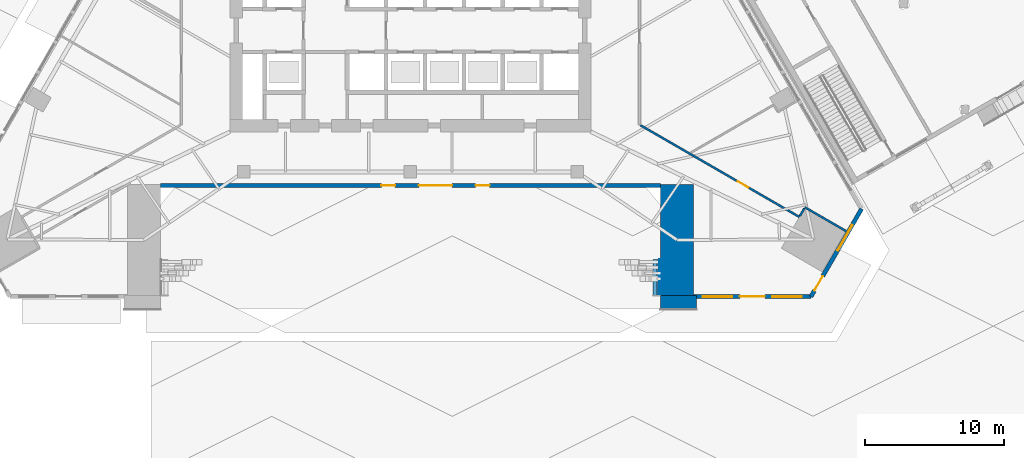
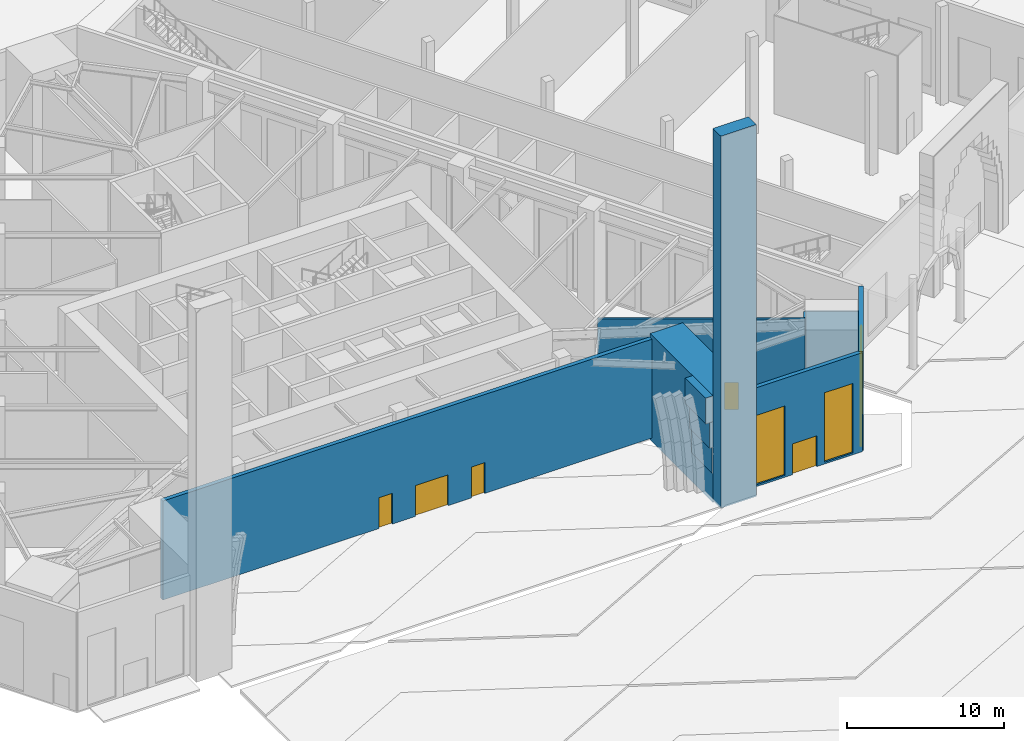
# One storey, part 10 of 34: 11 walls, 6 doors, 3 windows, 9 openings.
"""IFC4 building model written with IfcOpenShell, lengths in metres."""

import ifcopenshell
import ifcopenshell.guid

model = None  # the IFC model being written
_history = None  # IfcOwnerHistory: only IFC2X3 demands one
_inside = {}  # id of a spatial element -> (the spatial element, [elements in it])
_under = {}  # id of a project, library or spatial element -> (it, [spatial elements below it])
_declared = {}  # id of a project -> (the project, [libraries it declares])
_typed = {}  # id of a type object -> (the type object, [elements of that type])
_made_of = {}  # id of a material, layer set ... -> (it, [elements and type objects made of it])


def new_model(schema):
    """Start an empty IFC model of exactly this schema.

    Asked for "IFC4X3", IfcOpenShell would pick the latest addendum, in which some entities
    have other attributes; the version numbers below select the first issue.
    IFC2X3 requires an IfcOwnerHistory on every rooted entity: one is made here for all.
    """
    global model, _history
    if schema == "IFC4X3":
        model = ifcopenshell.file(schema_version=(4, 3, 0, 0))
    else:
        model = ifcopenshell.file(schema=schema)
    _inside.clear()
    _under.clear()
    _declared.clear()
    _typed.clear()
    _made_of.clear()
    _history = None
    if model.schema == "IFC2X3":
        org = make("IfcOrganization", Name="unknown")
        user = make(
            "IfcPersonAndOrganization",
            ThePerson=make("IfcPerson", FamilyName="unknown"),
            TheOrganization=org,
        )
        app = make(
            "IfcApplication",
            ApplicationDeveloper=org,
            Version="unknown",
            ApplicationFullName="unknown",
            ApplicationIdentifier="unknown",
        )
        _history = make(
            "IfcOwnerHistory",
            OwningUser=user,
            OwningApplication=app,
            ChangeAction="ADDED",
            CreationDate=0,
        )
    return model


def make(cls, **values):
    """One entity of the class cls with the attributes given. An attribute that is None is left unset."""
    return model.create_entity(
        cls, **{name: value for name, value in values.items() if value is not None}
    )


def rooted(cls, **values):
    """An entity with a GlobalId (a new one), such as an element, a storey or a relation."""
    return make(cls, GlobalId=ifcopenshell.guid.new(), OwnerHistory=_history, **values)


def si_unit(unit_type, name, prefix=None):
    """IfcSIUnit, for example si_unit("LENGTHUNIT", "METRE", prefix="MILLI")."""
    return make("IfcSIUnit", UnitType=unit_type, Prefix=prefix, Name=name)


def assignment(units):
    """IfcUnitAssignment: the units of a project."""
    return None if units is None else make("IfcUnitAssignment", Units=units)


def point(xyz):
    """IfcCartesianPoint."""
    return None if xyz is None else make("IfcCartesianPoint", Coordinates=xyz)


def direction(xyz):
    """IfcDirection."""
    return None if xyz is None else make("IfcDirection", DirectionRatios=xyz)


def frame(location, z_axis=None, x_axis=None):
    """IfcAxis2Placement3D, a coordinate frame: its origin and axes. An axis left out is left unset."""
    return make(
        "IfcAxis2Placement3D",
        Location=point(location),
        Axis=direction(z_axis),
        RefDirection=direction(x_axis),
    )


def frame_2d(location, x_axis=None):
    """IfcAxis2Placement2D, a coordinate frame in the plane: its origin and x axis."""
    return make(
        "IfcAxis2Placement2D", Location=point(location), RefDirection=direction(x_axis)
    )


def origin():
    """The frame at (0, 0, 0) with its axes left unset."""
    return frame((0.0, 0.0, 0.0))


def place(relative_to, where):
    """IfcLocalPlacement: puts the frame where relative to a parent placement (None: the world)."""
    return make(
        "IfcLocalPlacement", PlacementRelTo=relative_to, RelativePlacement=where
    )


def context(
    kind, dimensions, precision=None, world=None, true_north=None, identifier=None
):
    """IfcGeometricRepresentationContext, for example the 3D "Model" context."""
    return make(
        "IfcGeometricRepresentationContext",
        ContextIdentifier=identifier,
        ContextType=kind,
        CoordinateSpaceDimension=dimensions,
        Precision=precision,
        WorldCoordinateSystem=world,
        TrueNorth=true_north,
    )


def subcontext(parent, identifier, kind, view, scale=None):
    """IfcGeometricRepresentationSubContext, for example "Body" below "Model"."""
    return make(
        "IfcGeometricRepresentationSubContext",
        ContextIdentifier=identifier,
        ContextType=kind,
        ParentContext=parent,
        TargetScale=scale,
        TargetView=view,
    )


def project(units=None, contexts=None):
    """IfcProject with its units and contexts."""
    return rooted(
        "IfcProject",
        Name="project",
        RepresentationContexts=contexts,
        UnitsInContext=assignment(units),
    )


def spatial(cls, under=None, at=None, **own):
    """A site, building, storey or space (cls), placed at a placement, below another one or the project."""
    s = rooted(cls, ObjectPlacement=at, **own)
    if under is not None:
        _under.setdefault(under.id(), (under, []))[1].append(s)
    return s


def profile(cls, at=None, kind="AREA", **sizes):
    """A parametric profile (cls). Its sizes go by their IFC names, for example OverallWidth=200.0."""
    return make(cls, ProfileType=kind, Position=at, **sizes)


def rectangle(**sizes):
    """IfcRectangleProfileDef."""
    return profile("IfcRectangleProfileDef", **sizes)


def extrude(swept, where, along, depth):
    """IfcExtrudedAreaSolid: the profile swept, set in the frame where, extruded along a direction by depth."""
    return make(
        "IfcExtrudedAreaSolid",
        SweptArea=swept,
        Position=where,
        ExtrudedDirection=direction(along),
        Depth=depth,
    )


def shape(context_of_items, identifier, shape_type, items):
    """IfcShapeRepresentation: the items that make up one representation, for example the "Body"."""
    return make(
        "IfcShapeRepresentation",
        ContextOfItems=context_of_items,
        RepresentationIdentifier=identifier,
        RepresentationType=shape_type,
        Items=items,
    )


def material(Name=None, Category=None):
    """IfcMaterial."""
    return make("IfcMaterial", Name=Name, Category=Category)


def layer(
    of_material, thickness, ventilated=None, Name=None, Category=None, Priority=None
):
    """IfcMaterialLayer: one layer of a wall or slab, of a material (None: an air gap)."""
    return make(
        "IfcMaterialLayer",
        Material=of_material,
        LayerThickness=thickness,
        IsVentilated=ventilated,
        Name=Name,
        Category=Category,
        Priority=Priority,
    )


def layer_set(layers, Name=None):
    """IfcMaterialLayerSet."""
    return make("IfcMaterialLayerSet", MaterialLayers=layers, LayerSetName=Name)


def made_of(thing, what):
    """Note that an element or type object is made of a material, layer set ...; save() writes the relation."""
    if what is not None:
        _made_of.setdefault(what.id(), (what, []))[1].append(thing)
    return thing


def type_object(cls, material=None, **own):
    """A type object (cls), such as IfcWallType, which elements share."""
    return made_of(rooted(cls, **own), material)


def element(
    cls,
    number,
    at=None,
    inside=None,
    cuts=None,
    type_object=None,
    material=None,
    context=None,
    identifier="Body",
    shape_type=None,
    held_by="IfcProductDefinitionShape",
    body=None,
    shapes=None,
    **own,
):
    """One element of the class cls, such as IfcWall. Its Tag is "e" and its number.

    at: its placement. inside: the storey or other place that contains it. cuts: it is an
    opening in that element (IfcRelVoidsElement). A single representation is given by context,
    identifier, shape_type and body (its items); several are given by shapes. held_by: the class
    of the entity that holds the representations. save() writes the other relations.
    """
    e = rooted(cls, Tag="e%d" % number, ObjectPlacement=at, **own)
    if body is not None:
        shapes = [shape(context, identifier, shape_type, body)]
    if shapes is not None:
        e.Representation = make(held_by, Representations=shapes)
    if inside is not None:
        _inside.setdefault(inside.id(), (inside, []))[1].append(e)
    if cuts is not None:
        rooted(
            "IfcRelVoidsElement", RelatingBuildingElement=cuts, RelatedOpeningElement=e
        )
    if type_object is not None:
        _typed.setdefault(type_object.id(), (type_object, []))[1].append(e)
    return made_of(e, material)


def fill(opening, filler):
    """IfcRelFillsElement: the door or window that sits in an opening."""
    return rooted(
        "IfcRelFillsElement",
        RelatingOpeningElement=opening,
        RelatedBuildingElement=filler,
    )


def aggregate(whole, parts):
    """IfcRelAggregates: a whole, such as a stair, and the parts it consists of."""
    return rooted("IfcRelAggregates", RelatingObject=whole, RelatedObjects=parts)


def save(model, path):
    """Write the relations noted so far, then the file.

    IfcRelAggregates (storeys below a building ...), IfcRelContainedInSpatialStructure (elements
    in a storey), IfcRelDefinesByType, IfcRelAssociatesMaterial and IfcRelDeclares: one each for
    every whole, place, type object, material and project.
    """
    for whole, parts in _under.values():
        aggregate(whole, parts)
    for where, things in _inside.values():
        rooted(
            "IfcRelContainedInSpatialStructure",
            RelatedElements=things,
            RelatingStructure=where,
        )
    for kind, things in _typed.values():
        rooted("IfcRelDefinesByType", RelatedObjects=things, RelatingType=kind)
    for what, things in _made_of.values():
        rooted("IfcRelAssociatesMaterial", RelatedObjects=things, RelatingMaterial=what)
    for by, libraries in _declared.values():
        rooted("IfcRelDeclares", RelatingContext=by, RelatedDefinitions=libraries)
    model.write(path)


model = new_model("IFC4")

# Units and contexts
model_context = context("Model", 3, precision=1e-05, world=origin(), true_north=direction((0.0, 1.0)))
body_context = subcontext(model_context, "Body", "Model", "MODEL_VIEW")
ifc_project = project(units=[si_unit("LENGTHUNIT", "METRE"), si_unit("AREAUNIT", "SQUARE_METRE"), si_unit("VOLUMEUNIT", "CUBIC_METRE"), si_unit("PLANEANGLEUNIT", "RADIAN"), si_unit("MASSUNIT", "GRAM", prefix="KILO")], contexts=[model_context])

# Site, building, storey
site_placement = place(None, origin())
site = spatial("IfcSite", under=ifc_project, at=site_placement, CompositionType="ELEMENT")
building_placement = place(site_placement, origin())
building = spatial("IfcBuilding", under=site, at=building_placement, Name="Firuza Gate Tower and Library", CompositionType="ELEMENT")
storey_placement = place(building_placement, origin())
storey = spatial("IfcBuildingStorey", under=building, at=storey_placement, Name="L00", CompositionType="ELEMENT", Elevation=0.0)

# Walls
ifc_material_1 = material(Name="Gypsum board partition")
ifc_layer_1 = layer(ifc_material_1, 0.14990234375)
ifc_layer_set_1 = layer_set([ifc_layer_1], Name="Corridor wall 150 double board on steel studs")
wall_type_1 = type_object("IfcWallType", Name="Corridor wall 150 double board on steel studs", PredefinedType="PARTITIONING", material=ifc_layer_set_1)
wall_1_placement = place(storey_placement, frame((103.0615234375, 59.93603515625, 0.0), z_axis=(0.0, 0.0, 1.0), x_axis=(0.500118698802, 0.865956862152, 0.0)))
element("IfcWall", 1, at=wall_1_placement, inside=storey, type_object=wall_type_1, Name="f:L00:w013", PredefinedType="PARTITIONING", context=body_context, shape_type="SweptSolid", body=[
    extrude(rectangle(XDim=0.639892578125, YDim=0.14990234375, at=frame_2d((0.31982421875, 0.0))), origin(), (0.0, 0.0, 1.0), 7.10009765625),
])
wall_2_placement = place(storey_placement, frame((106.500244140625, 58.7763671875, 0.0), z_axis=(0.0, 0.0, 1.0), x_axis=(-0.866017611601, 0.500013496215, 0.0)))
element("IfcWall", 2, at=wall_2_placement, inside=storey, type_object=wall_type_1, Name="f:L00:w030", PredefinedType="PARTITIONING", context=body_context, shape_type="SweptSolid", body=[
    extrude(rectangle(XDim=3.55810546875, YDim=0.14990234375, at=frame_2d((1.779052734375, 0.0))), origin(), (0.0, 0.0, 1.0), 7.10009765625),
])

# Wall, opening, door
wall_3_placement = place(storey_placement, frame((91.574951171875, 66.4697265625, 0.0), z_axis=(0.0, 0.0, 1.0), x_axis=(0.866027754727, -0.499995928025, 0.0)))
wall_3 = element("IfcWall", 3, at=wall_3_placement, inside=storey, type_object=wall_type_1, Name="f:L00:w031", PredefinedType="PARTITIONING", context=body_context, shape_type="SweptSolid", body=[
    extrude(rectangle(XDim=13.21435546875, YDim=0.14990234375, at=frame_2d((6.607177734375, 0.0))), origin(), (0.0, 0.0, 1.0), 7.10009765625),
])
opening_1_placement = place(wall_3_placement, frame((8.0908203125, 0.0, 0.0)))
opening_1 = element("IfcOpeningElement", 4, at=opening_1_placement, cuts=wall_3, Name="Opening L00-14", PredefinedType="OPENING", context=body_context, shape_type="SweptSolid", body=[
    extrude(rectangle(XDim=0.89990234375, YDim=2.10009765625, at=frame_2d((0.449951171875, 1.050048828125))), frame((0.0, 0.0849609375, 0.0), z_axis=(0.0, -1.0, 0.0), x_axis=(1.0, 0.0, 0.0)), (0.0, 0.0, 1.0), 0.169921875),
])
ifc_material_2 = material(Name="Steel door and timber leaf", Category="steel")
door_type_1 = type_object("IfcDoorType", Name="Fire door 900 x 2100 steel frame, timber leaf", OperationType="NOTDEFINED", PredefinedType="DOOR", material=ifc_material_2)
door_1_placement = place(opening_1_placement, origin())
door_1 = element("IfcDoor", 5, at=door_1_placement, inside=storey, type_object=door_type_1, Name="f:L00:d014", OperationType="SINGLE_SWING_LEFT", OverallHeight=2.10009765625, OverallWidth=0.89990234375, PredefinedType="DOOR", context=body_context, shape_type="SweptSolid", body=[
    extrude(rectangle(XDim=0.89990234375, YDim=2.10009765625, at=frame_2d((0.449951171875, 1.050048828125))), frame((0.0, 0.02490234375, 0.0), z_axis=(0.0, -1.0, 0.0), x_axis=(1.0, 0.0, 0.0)), (0.0, 0.0, 1.0), 0.050048828125),
])
fill(opening_1, door_1)

# Walls
ifc_material_3 = material(Name="Concrete C80/95", Category="concrete")
ifc_layer_2 = layer(ifc_material_3, 2.39990234375)
ifc_layer_set_2 = layer_set([ifc_layer_2], Name="Iwan wall 2400 C80/95")
wall_type_2 = type_object("IfcWallType", Name="Iwan wall 2400 C80/95", PredefinedType="SHEAR", material=ifc_layer_set_2)
wall_4_placement = place(storey_placement, frame((94.199951171875, 54.21533203125, -0.300048828125), z_axis=(0.0, 0.0, 1.0), x_axis=(0.0, 1.0, 0.0)))
element("IfcWall", 6, at=wall_4_placement, inside=storey, type_object=wall_type_2, Name="Iwan wall E L00", PredefinedType="SHEAR", context=body_context, shape_type="SweptSolid", body=[
    extrude(rectangle(XDim=8.0, YDim=2.39990234375, at=frame_2d((4.0, 0.0))), origin(), (0.0, 0.0, 1.0), 8.300048828125),
])
ifc_material_4 = material(Name="Concrete C40/50", Category="concrete")
ifc_layer_3 = layer(ifc_material_4, 1.0)
ifc_layer_set_3 = layer_set([ifc_layer_3], Name="Pishtaq frame wall 1000")
wall_type_3 = type_object("IfcWallType", Name="Pishtaq frame wall 1000", PredefinedType="SOLIDWALL", material=ifc_layer_set_3)
wall_5_placement = place(storey_placement, frame((93.0, 53.71533203125, -0.14990234375), z_axis=(0.0, 0.0, 1.0), x_axis=(1.0, 0.0, 0.0)))
element("IfcWall", 7, at=wall_5_placement, inside=storey, type_object=wall_type_3, Name="Pishtaq frame piere", PredefinedType="SOLIDWALL", context=body_context, shape_type="SweptSolid", body=[
    extrude(rectangle(XDim=2.6201171875, YDim=1.0, at=frame_2d((1.31005859375, 0.0))), origin(), (0.0, 0.0, 1.0), 28.949951171875),
])
ifc_material_5 = material(Name="Concrete C60/75", Category="concrete")
ifc_layer_4 = layer(ifc_material_5, 2.60009765625)
ifc_layer_set_4 = layer_set([ifc_layer_4], Name="Portal wall 2600 C60/75")
wall_type_4 = type_object("IfcWallType", Name="Portal wall 2600 C60/75", PredefinedType="SOLIDWALL", material=ifc_layer_set_4)
wall_6_placement = place(storey_placement, frame((92.939208984375, 55.515380859375, 2.0), z_axis=(0.0, 0.0, 1.0), x_axis=(1.0, 0.0, 0.0)))
element("IfcWall", 8, at=wall_6_placement, inside=storey, type_object=wall_type_4, Name="Portal wall course 2", PredefinedType="SOLIDWALL", context=body_context, shape_type="SweptSolid", body=[
    extrude(rectangle(XDim=0.060791015625, YDim=2.60009765625, at=frame_2d((0.0302734375, 0.0))), origin(), (0.0, 0.0, 1.0), 2.0),
])
wall_7_placement = place(storey_placement, frame((92.760009765625, 55.515380859375, 4.0), z_axis=(0.0, 0.0, 1.0), x_axis=(1.0, 0.0, 0.0)))
element("IfcWall", 9, at=wall_7_placement, inside=storey, type_object=wall_type_4, Name="Portal wall course 3", PredefinedType="SOLIDWALL", context=body_context, shape_type="SweptSolid", body=[
    extrude(rectangle(XDim=0.239990234375, YDim=2.60009765625, at=frame_2d((0.1201171875, 0.0))), origin(), (0.0, 0.0, 1.0), 2.0),
])
wall_8_placement = place(storey_placement, frame((92.46044921875, 55.515380859375, 6.0), z_axis=(0.0, 0.0, 1.0), x_axis=(1.0, 0.0, 0.0)))
element("IfcWall", 10, at=wall_8_placement, inside=storey, type_object=wall_type_4, Name="Portal wall course 4", PredefinedType="SOLIDWALL", context=body_context, shape_type="SweptSolid", body=[
    extrude(rectangle(XDim=0.53955078125, YDim=2.60009765625, at=frame_2d((0.269775390625, 0.0))), origin(), (0.0, 0.0, 1.0), 2.0),
])

# Wall, openings, doors
ifc_material_6 = material(Name="Concrete C40/50", Category="concrete")
ifc_layer_5 = layer(ifc_material_6, 0.300048828125)
ifc_layer_set_5 = layer_set([ifc_layer_5], Name="Shopfront wall 300")
wall_type_5 = type_object("IfcWallType", Name="Shopfront wall 300", PredefinedType="SOLIDWALL", material=ifc_layer_set_5)
wall_9_placement = place(storey_placement, frame((57.0, 62.12548828125, 0.0), z_axis=(0.0, 0.0, 1.0), x_axis=(1.0, 0.0, 0.0)))
wall_9 = element("IfcWall", 11, at=wall_9_placement, inside=storey, type_object=wall_type_5, Name="Shopfront wall 3", PredefinedType="SOLIDWALL", context=body_context, shape_type="SweptSolid", body=[
    extrude(rectangle(XDim=36.0, YDim=0.300048828125, at=frame_2d((18.0, 0.0))), origin(), (0.0, 0.0, 1.0), 7.699951171875),
])
opening_2_placement = place(wall_9_placement, frame((18.60009765625, 0.0, 0.0)))
opening_2 = element("IfcOpeningElement", 12, at=opening_2_placement, cuts=wall_9, Name="Opening DR1", PredefinedType="OPENING", context=body_context, shape_type="SweptSolid", body=[
    extrude(rectangle(XDim=2.39990234375, YDim=2.39990234375, at=frame_2d((1.199951171875, 1.199951171875))), frame((0.0, 0.16015625, 0.0), z_axis=(0.0, -1.0, 0.0), x_axis=(1.0, 0.0, 0.0)), (0.0, 0.0, 1.0), 0.320068359375),
])
opening_3_placement = place(wall_9_placement, frame((15.89990234375, 0.0, 0.0)))
opening_3 = element("IfcOpeningElement", 13, at=opening_3_placement, cuts=wall_9, Name="Opening DR2-001", PredefinedType="OPENING", context=body_context, shape_type="SweptSolid", body=[
    extrude(rectangle(XDim=1.0, YDim=2.39990234375, at=frame_2d((0.5, 1.199951171875))), frame((0.0, 0.16015625, 0.0), z_axis=(0.0, -1.0, 0.0), x_axis=(1.0, 0.0, 0.0)), (0.0, 0.0, 1.0), 0.320068359375),
])
opening_4_placement = place(wall_9_placement, frame((22.699951171875, 0.0, 0.0)))
opening_4 = element("IfcOpeningElement", 14, at=opening_4_placement, cuts=wall_9, Name="Opening DR2-002", PredefinedType="OPENING", context=body_context, shape_type="SweptSolid", body=[
    extrude(rectangle(XDim=1.0, YDim=2.39990234375, at=frame_2d((0.5, 1.199951171875))), frame((0.0, 0.16015625, 0.0), z_axis=(0.0, -1.0, 0.0), x_axis=(1.0, 0.0, 0.0)), (0.0, 0.0, 1.0), 0.320068359375),
])
ifc_material_7 = material(Name="Aluminium 6063-T6 and glass", Category="aluminium")
door_type_2 = type_object("IfcDoorType", Name="Accessible entrance door 1000x2400", OperationType="NOTDEFINED", PredefinedType="DOOR", material=ifc_material_7)
door_2_placement = place(opening_3_placement, origin())
door_2 = element("IfcDoor", 15, at=door_2_placement, inside=storey, type_object=door_type_2, Name="Door DR2-3.2", OperationType="SINGLE_SWING_RIGHT", OverallHeight=2.39990234375, OverallWidth=1.0, PredefinedType="DOOR", context=body_context, shape_type="SweptSolid", body=[
    extrude(rectangle(XDim=1.0, YDim=2.39990234375, at=frame_2d((0.5, 1.199951171875))), frame((0.0, 0.02490234375, 0.0), z_axis=(0.0, -1.0, 0.0), x_axis=(1.0, 0.0, 0.0)), (0.0, 0.0, 1.0), 0.050048828125),
])
fill(opening_3, door_2)
door_3_placement = place(opening_4_placement, origin())
door_3 = element("IfcDoor", 16, at=door_3_placement, inside=storey, type_object=door_type_2, Name="Door DR2-3.3", OperationType="SINGLE_SWING_LEFT", OverallHeight=2.39990234375, OverallWidth=1.0, PredefinedType="DOOR", context=body_context, shape_type="SweptSolid", body=[
    extrude(rectangle(XDim=1.0, YDim=2.39990234375, at=frame_2d((0.5, 1.199951171875))), frame((0.0, 0.02490234375, 0.0), z_axis=(0.0, -1.0, 0.0), x_axis=(1.0, 0.0, 0.0)), (0.0, 0.0, 1.0), 0.050048828125),
])
fill(opening_4, door_3)
ifc_material_8 = material(Name="Aluminium 6063-T6 and glass", Category="aluminium")
door_type_3 = type_object("IfcDoorType", Name="Revolving entrance door 2400x2400", OperationType="REVOLVING", PredefinedType="DOOR", material=ifc_material_8)
door_4_placement = place(opening_2_placement, origin())
door_4 = element("IfcDoor", 17, at=door_4_placement, inside=storey, type_object=door_type_3, Name="Door DR1-3.1", OperationType="REVOLVING", OverallHeight=2.39990234375, OverallWidth=2.39990234375, PredefinedType="DOOR", context=body_context, shape_type="SweptSolid", body=[
    extrude(rectangle(XDim=2.39990234375, YDim=2.39990234375, at=frame_2d((1.199951171875, 1.199951171875))), frame((0.0, 0.02490234375, 0.0), z_axis=(0.0, -1.0, 0.0), x_axis=(1.0, 0.0, 0.0)), (0.0, 0.0, 1.0), 0.050048828125),
])
fill(opening_2, door_4)

# Wall, openings, door, windows
wall_10_placement = place(storey_placement, frame((95.39990234375, 54.12548828125, 0.0), z_axis=(0.0, 0.0, 1.0), x_axis=(1.0, 0.0, 0.0)))
wall_10 = element("IfcWall", 18, at=wall_10_placement, inside=storey, type_object=wall_type_5, Name="Shopfront wall 5", PredefinedType="SOLIDWALL", context=body_context, shape_type="SweptSolid", body=[
    extrude(rectangle(XDim=8.4521484375, YDim=0.300048828125, at=frame_2d((4.22607421875, 0.0))), origin(), (0.0, 0.0, 1.0), 7.699951171875),
])
opening_5_placement = place(wall_10_placement, frame((3.325927734375, 0.0, 0.0)))
opening_5 = element("IfcOpeningElement", 19, at=opening_5_placement, cuts=wall_10, Name="Opening DR3-002", PredefinedType="OPENING", context=body_context, shape_type="SweptSolid", body=[
    extrude(rectangle(XDim=1.800048828125, YDim=2.39990234375, at=frame_2d((0.89990234375, 1.199951171875))), frame((0.0, 0.16015625, 0.0), z_axis=(0.0, -1.0, 0.0), x_axis=(1.0, 0.0, 0.0)), (0.0, 0.0, 1.0), 0.320068359375),
])
opening_6_placement = place(wall_10_placement, frame((0.676025390625, 0.0, 0.14990234375)))
opening_6 = element("IfcOpeningElement", 20, at=opening_6_placement, cuts=wall_10, Name="Opening WD2-003", PredefinedType="OPENING", context=body_context, shape_type="SweptSolid", body=[
    extrude(rectangle(XDim=2.10009765625, YDim=5.39990234375, at=frame_2d((1.050048828125, 2.699951171875))), frame((0.0, 0.16015625, 0.0), z_axis=(0.0, -1.0, 0.0), x_axis=(1.0, 0.0, 0.0)), (0.0, 0.0, 1.0), 0.320068359375),
])
opening_7_placement = place(wall_10_placement, frame((5.676025390625, 0.0, 0.14990234375)))
opening_7 = element("IfcOpeningElement", 21, at=opening_7_placement, cuts=wall_10, Name="Opening WD2-004", PredefinedType="OPENING", context=body_context, shape_type="SweptSolid", body=[
    extrude(rectangle(XDim=2.10009765625, YDim=5.39990234375, at=frame_2d((1.050048828125, 2.699951171875))), frame((0.0, 0.16015625, 0.0), z_axis=(0.0, -1.0, 0.0), x_axis=(1.0, 0.0, 0.0)), (0.0, 0.0, 1.0), 0.320068359375),
])
ifc_material_9 = material(Name="Aluminium 6063-T6 and glass", Category="aluminium")
door_type_4 = type_object("IfcDoorType", Name="Double entrance door 1800x2400", OperationType="NOTDEFINED", PredefinedType="DOOR", material=ifc_material_9)
door_5_placement = place(opening_5_placement, origin())
door_5 = element("IfcDoor", 22, at=door_5_placement, inside=storey, type_object=door_type_4, Name="Door DR3-5.1", OperationType="DOUBLE_DOOR_SINGLE_SWING", OverallHeight=2.39990234375, OverallWidth=1.800048828125, PredefinedType="DOOR", context=body_context, shape_type="SweptSolid", body=[
    extrude(rectangle(XDim=1.800048828125, YDim=2.39990234375, at=frame_2d((0.89990234375, 1.199951171875))), frame((0.0, 0.02490234375, 0.0), z_axis=(0.0, -1.0, 0.0), x_axis=(1.0, 0.0, 0.0)), (0.0, 0.0, 1.0), 0.050048828125),
])
fill(opening_5, door_5)
ifc_material_10 = material(Name="Aluminium 6063-T6 and glass", Category="aluminium")
window_type = type_object("IfcWindowType", Name="Shopfront window 2100x5400", PartitioningType="SINGLE_PANEL", PredefinedType="WINDOW", material=ifc_material_10)
window_1_placement = place(opening_6_placement, origin())
window_1 = element("IfcWindow", 23, at=window_1_placement, inside=storey, type_object=window_type, Name="e:wall:L00:4/W0", OverallHeight=5.39990234375, OverallWidth=2.10009765625, PartitioningType="SINGLE_PANEL", PredefinedType="WINDOW", context=body_context, shape_type="SweptSolid", body=[
    extrude(rectangle(XDim=2.10009765625, YDim=5.39990234375, at=frame_2d((1.050048828125, 2.699951171875))), frame((0.0, 0.030029296875, 0.0), z_axis=(0.0, -1.0, 0.0), x_axis=(1.0, 0.0, 0.0)), (0.0, 0.0, 1.0), 0.06005859375),
])
fill(opening_6, window_1)
window_2_placement = place(opening_7_placement, origin())
window_2 = element("IfcWindow", 24, at=window_2_placement, inside=storey, type_object=window_type, Name="e:wall:L00:4/W1", OverallHeight=5.39990234375, OverallWidth=2.10009765625, PartitioningType="SINGLE_PANEL", PredefinedType="WINDOW", context=body_context, shape_type="SweptSolid", body=[
    extrude(rectangle(XDim=2.10009765625, YDim=5.39990234375, at=frame_2d((1.050048828125, 2.699951171875))), frame((0.0, 0.030029296875, 0.0), z_axis=(0.0, -1.0, 0.0), x_axis=(1.0, 0.0, 0.0)), (0.0, 0.0, 1.0), 0.06005859375),
])
fill(opening_7, window_2)

# Wall, openings, door, window
wall_11_placement = place(storey_placement, frame((103.85205078125, 54.12548828125, 0.0), z_axis=(0.0, 0.0, 1.0), x_axis=(0.500000231294, 0.866025270247, 0.0)))
wall_11 = element("IfcWall", 25, at=wall_11_placement, inside=storey, type_object=wall_type_5, Name="Shopfront wall 6", PredefinedType="SOLIDWALL", context=body_context, shape_type="SweptSolid", body=[
    extrude(rectangle(XDim=7.3037109375, YDim=0.300048828125, at=frame_2d((3.65185546875, 0.0))), origin(), (0.0, 0.0, 1.0), 7.699951171875),
])
opening_8_placement = place(wall_11_placement, frame((0.49560546875, 0.0, 0.0)))
opening_8 = element("IfcOpeningElement", 26, at=opening_8_placement, cuts=wall_11, Name="Opening DR5-001", PredefinedType="OPENING", context=body_context, shape_type="SweptSolid", body=[
    extrude(rectangle(XDim=1.199951171875, YDim=2.39990234375, at=frame_2d((0.60009765625, 1.199951171875))), frame((0.0, 0.16015625, 0.0), z_axis=(0.0, -1.0, 0.0), x_axis=(1.0, 0.0, 0.0)), (0.0, 0.0, 1.0), 0.320068359375),
])
opening_9_placement = place(wall_11_placement, frame((3.85205078125, 0.0, 0.14990234375)))
opening_9 = element("IfcOpeningElement", 27, at=opening_9_placement, cuts=wall_11, Name="Opening WD2-005", PredefinedType="OPENING", context=body_context, shape_type="SweptSolid", body=[
    extrude(rectangle(XDim=2.10009765625, YDim=5.39990234375, at=frame_2d((1.050048828125, 2.699951171875))), frame((0.0, 0.16015625, 0.0), z_axis=(0.0, -1.0, 0.0), x_axis=(1.0, 0.0, 0.0)), (0.0, 0.0, 1.0), 0.320068359375),
])
ifc_material_11 = material(Name="Steel S355 and ceramic coating", Category="steel")
door_type_5 = type_object("IfcDoorType", Name="Exit door 1200x2400", OperationType="NOTDEFINED", PredefinedType="DOOR", material=ifc_material_11)
door_6_placement = place(opening_8_placement, origin())
door_6 = element("IfcDoor", 28, at=door_6_placement, inside=storey, type_object=door_type_5, Name="Door DR5-6.1", OperationType="SINGLE_SWING_LEFT", OverallHeight=2.39990234375, OverallWidth=1.199951171875, PredefinedType="DOOR", context=body_context, shape_type="SweptSolid", body=[
    extrude(rectangle(XDim=1.199951171875, YDim=2.39990234375, at=frame_2d((0.60009765625, 1.199951171875))), frame((0.0, 0.02490234375, 0.0), z_axis=(0.0, -1.0, 0.0), x_axis=(1.0, 0.0, 0.0)), (0.0, 0.0, 1.0), 0.050048828125),
])
fill(opening_8, door_6)
window_3_placement = place(opening_9_placement, origin())
window_3 = element("IfcWindow", 29, at=window_3_placement, inside=storey, type_object=window_type, Name="e:wall:L00:5/W0", OverallHeight=5.39990234375, OverallWidth=2.10009765625, PartitioningType="SINGLE_PANEL", PredefinedType="WINDOW", context=body_context, shape_type="SweptSolid", body=[
    extrude(rectangle(XDim=2.10009765625, YDim=5.39990234375, at=frame_2d((1.050048828125, 2.699951171875))), frame((0.0, 0.030029296875, 0.0), z_axis=(0.0, -1.0, 0.0), x_axis=(1.0, 0.0, 0.0)), (0.0, 0.0, 1.0), 0.06005859375),
])
fill(opening_9, window_3)

save(model, "model.ifc")
